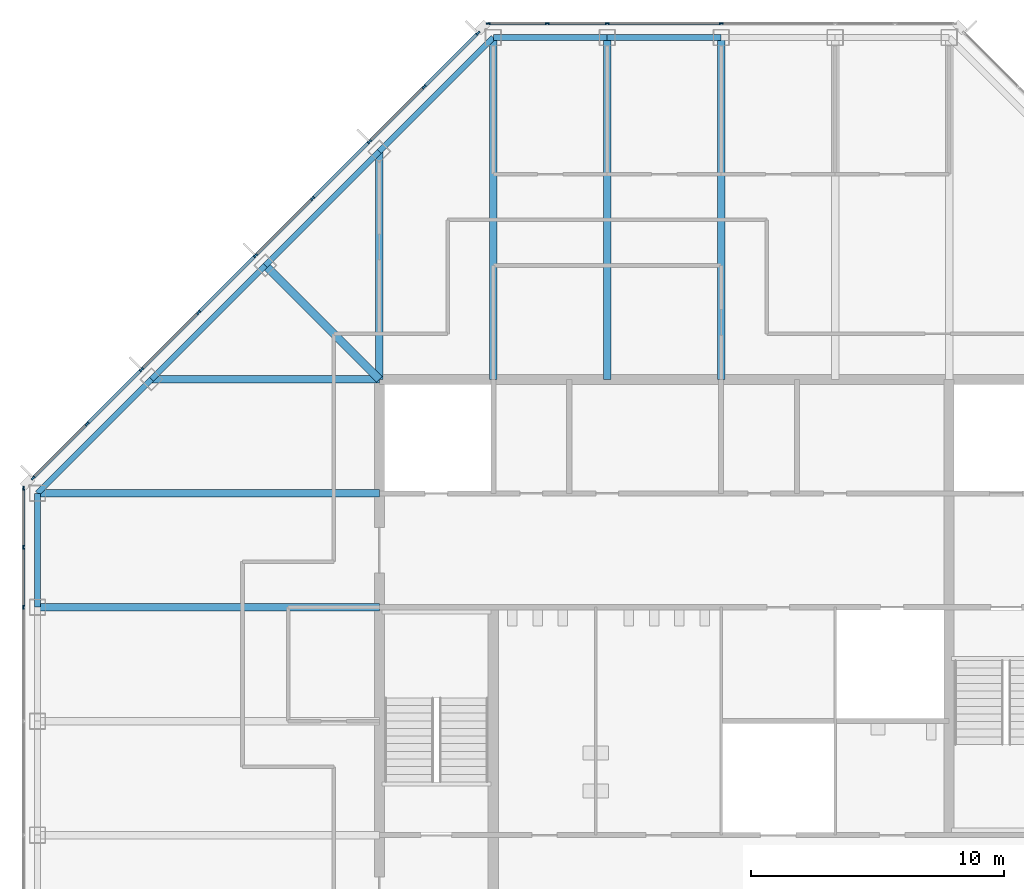
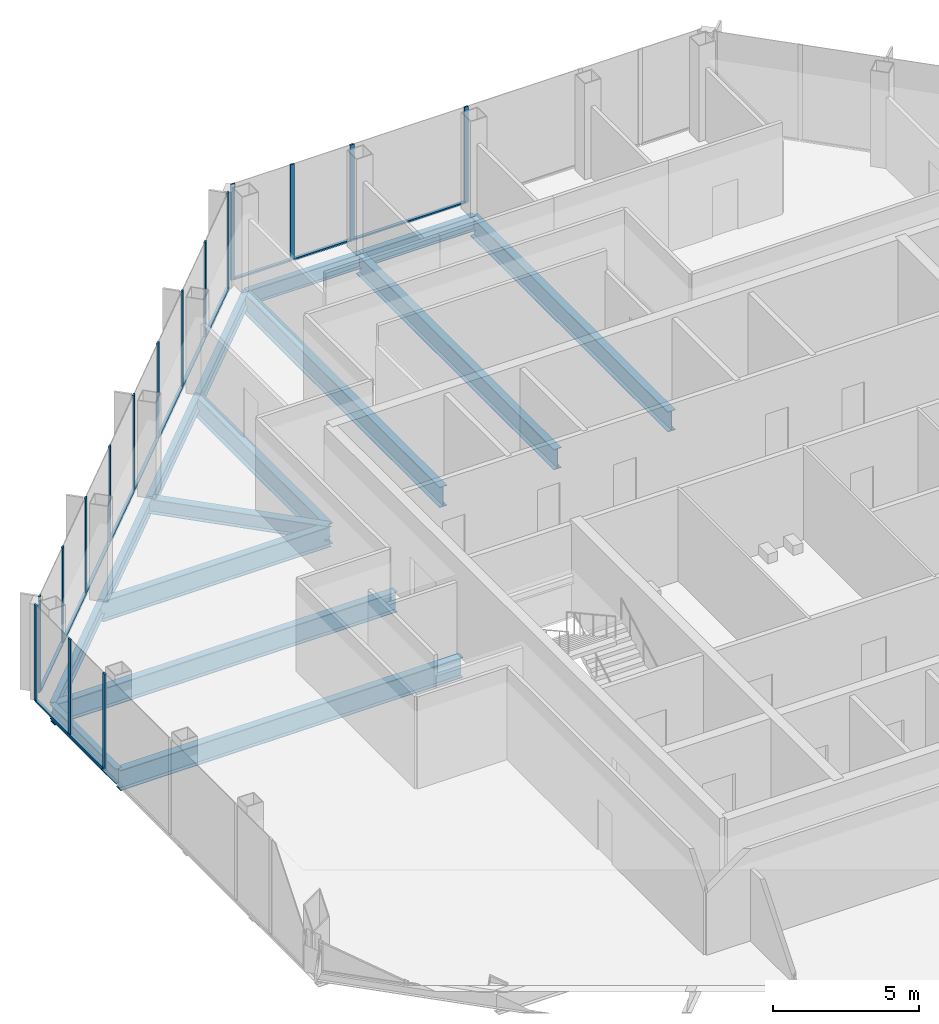
# One storey, part 6 of 14: 29 members, 15 beams, 3 elements without a shape of their own.
"""IFC4 building model written with IfcOpenShell, lengths in metres."""

from ifc_helpers import new_model, si_unit, direction, frame, origin, origin_2d, place, context, subcontext, project, spatial, rectangle, i_section, extrude, material, material_profile, profile_set, type_object, element, aggregate, save


model = new_model("IFC4")

# Units and contexts
model_context = context("Model", 3, precision=1e-05, world=origin(), true_north=direction((0.0, 1.0)))
body_context = subcontext(model_context, "Body", "Model", "MODEL_VIEW")
ifc_project = project(units=[si_unit("LENGTHUNIT", "METRE"), si_unit("AREAUNIT", "SQUARE_METRE"), si_unit("VOLUMEUNIT", "CUBIC_METRE"), si_unit("PLANEANGLEUNIT", "RADIAN"), si_unit("MASSUNIT", "GRAM", prefix="KILO")], contexts=[model_context])

# Site, building, storey
site_placement = place(None, origin())
site = spatial("IfcSite", under=ifc_project, at=site_placement, CompositionType="ELEMENT")
building_placement = place(site_placement, origin())
building = spatial("IfcBuilding", under=site, at=building_placement, Name="Corais Broadcast Tower", CompositionType="ELEMENT")
storey_placement = place(building_placement, frame((0.0, 0.0, 250.60009765625)))
storey = spatial("IfcBuildingStorey", under=building, at=storey_placement, Name="L58", CompositionType="ELEMENT", Elevation=250.60009765625)

# Beams
ifc_material_1 = material(Name="Steel ASTM A572 Grade 50", Category="steel")
ifc_material_profile_1 = material_profile(ifc_material_1, i_section(OverallWidth=0.323974609375, OverallDepth=0.611083984375, WebThickness=0.0126953125, FlangeThickness=0.01904296875, at=origin_2d()), Name="W610x155")
ifc_profile_set_1 = profile_set([ifc_material_profile_1], Name="Steel ASTM A572 Grade 50")
beam_type_1 = type_object("IfcBeamType", Name="Corner diagonal W610x155", PredefinedType="BEAM", material=ifc_profile_set_1)
beam_1_placement = place(storey_placement, frame((9.0, 45.0, -0.465576171875), z_axis=(0.707106781187, -0.707106781187, 0.0), x_axis=(0.707106781187, 0.707106781187, 0.0)))
element("IfcBeam", 1, at=beam_1_placement, inside=storey, type_object=beam_type_1, Name="B6 L/5 to K/6", PredefinedType="BEAM", context=body_context, shape_type="SweptSolid", body=[
    extrude(i_section(OverallWidth=0.323974609375, OverallDepth=0.611083984375, WebThickness=0.0126953125, FlangeThickness=0.01904296875, at=origin_2d()), origin(), (0.0, 0.0, 1.0), 6.364013671875),
])
ifc_material_2 = material(Name="Steel ASTM A572 Grade 50", Category="steel")
ifc_material_profile_2 = material_profile(ifc_material_2, i_section(OverallWidth=0.2939453125, OverallDepth=0.85107421875, WebThickness=0.01611328125, FlangeThickness=0.02685546875, at=origin_2d()), Name="W840x226")
ifc_profile_set_2 = profile_set([ifc_material_profile_2], Name="Steel ASTM A572 Grade 50")
beam_type_2 = type_object("IfcBeamType", Name="Floor beam W840x226", PredefinedType="BEAM", material=ifc_profile_set_2)
for number, where, z_axis, x_axis, name in (
    (2, (0.0, 31.5, -0.585693359375), (1.0, 0.0, 0.0), (0.0, 1.0, 0.0), "B1 H/3 to H/6"),
    (3, (0.0, 36.0, -0.585693359375), (1.0, 0.0, 0.0), (0.0, 1.0, 0.0), "B1 J/3 to J/6"),
):
    element("IfcBeam", number, at=place(storey_placement, frame(where, z_axis=z_axis, x_axis=x_axis)), inside=storey, type_object=beam_type_2, Name=name, PredefinedType="BEAM", context=body_context, shape_type="SweptSolid", body=[
        extrude(i_section(OverallWidth=0.2939453125, OverallDepth=0.85107421875, WebThickness=0.01611328125, FlangeThickness=0.02685546875, at=origin_2d()), origin(), (0.0, 0.0, 1.0), 13.5),
    ])
beam_2_placement = place(storey_placement, frame((13.5, 49.5, -0.585693359375), z_axis=(0.0, -1.0, 0.0), x_axis=(1.0, 0.0, 0.0)))
element("IfcBeam", 4, at=beam_2_placement, inside=storey, type_object=beam_type_2, Name="B1 M/6 to K/6", PredefinedType="BEAM", context=body_context, shape_type="SweptSolid", body=[
    extrude(i_section(OverallWidth=0.2939453125, OverallDepth=0.85107421875, WebThickness=0.01611328125, FlangeThickness=0.02685546875, at=origin_2d()), origin(), (0.0, 0.0, 1.0), 9.0),
])
for number, where, z_axis, x_axis, name in (
    (5, (18.0, 54.0, -0.585693359375), (0.0, -1.0, 0.0), (1.0, 0.0, 0.0), "B1 N/7 to K/7"),
    (6, (22.5, 54.0, -0.585693359375), (0.0, -1.0, 0.0), (1.0, 0.0, 0.0), "B1 N/8 to K/8"),
    (7, (27.0, 54.0, -0.585693359375), (0.0, -1.0, 0.0), (1.0, 0.0, 0.0), "B1 N/9 to K/9"),
):
    element("IfcBeam", number, at=place(storey_placement, frame(where, z_axis=z_axis, x_axis=x_axis)), inside=storey, type_object=beam_type_2, Name=name, PredefinedType="BEAM", context=body_context, shape_type="SweptSolid", body=[
        extrude(i_section(OverallWidth=0.2939453125, OverallDepth=0.85107421875, WebThickness=0.01611328125, FlangeThickness=0.02685546875, at=origin_2d()), origin(), (0.0, 0.0, 1.0), 13.5),
    ])
beam_3_placement = place(storey_placement, frame((4.5, 40.5, -0.585693359375), z_axis=(1.0, 0.0, 0.0), x_axis=(0.0, 1.0, 0.0)))
element("IfcBeam", 8, at=beam_3_placement, inside=storey, type_object=beam_type_2, Name="B1 K/4 to K/6", PredefinedType="BEAM", context=body_context, shape_type="SweptSolid", body=[
    extrude(i_section(OverallWidth=0.2939453125, OverallDepth=0.85107421875, WebThickness=0.01611328125, FlangeThickness=0.02685546875, at=origin_2d()), origin(), (0.0, 0.0, 1.0), 9.0),
])

# Curtain wall, members
ifc_material_3 = material(Name="Aluminium and glass", Category="aluminium")
curtain_wall_type = type_object("IfcCurtainWallType", Name="Unitised fritted curtain wall CW3", PredefinedType="NOTDEFINED", material=ifc_material_3)
curtain_wall_1_placement = place(storey_placement, origin())
curtain_wall_1 = element("IfcCurtainWall", 9, at=curtain_wall_1_placement, inside=storey, type_object=curtain_wall_type, Name="CW3 curtain wall L58 2", PredefinedType="NOTDEFINED")
ifc_material_4 = material(Name="Aluminium 6063-T6", Category="aluminium")
ifc_material_profile_3 = material_profile(ifc_material_4, rectangle(XDim=0.06494140625, YDim=0.159912109375, at=origin_2d()), Name="Mullion CW3 65x160")
ifc_profile_set_3 = profile_set([ifc_material_profile_3], Name="Aluminium 6063-T6")
member_type_1 = type_object("IfcMemberType", Name="Mullion CW3 65x160", PredefinedType="MULLION", material=ifc_profile_set_3)
member_1_placement = place(storey_placement, frame((-0.550048828125, 31.5, 0.0), z_axis=(0.0, 0.0, 1.0), x_axis=(-1.0, 0.0, 0.0)))
member_1 = element("IfcMember", 10, at=member_1_placement, type_object=member_type_1, Name="CW3 mullion 5", PredefinedType="MULLION", context=body_context, shape_type="SweptSolid", body=[
    extrude(rectangle(XDim=0.06494140625, YDim=0.159912109375, at=origin_2d()), origin(), (0.0, 0.0, 1.0), 4.0),
])
member_2_placement = place(storey_placement, frame((-0.550048828125, 33.864013671875, 0.0), z_axis=(0.0, 0.0, 1.0), x_axis=(-1.0, 0.0, 0.0)))
member_2 = element("IfcMember", 11, at=member_2_placement, type_object=member_type_1, Name="CW3 mullion 6", PredefinedType="MULLION", context=body_context, shape_type="SweptSolid", body=[
    extrude(rectangle(XDim=0.06494140625, YDim=0.159912109375, at=origin_2d()), origin(), (0.0, 0.0, 1.0), 4.0),
])
member_3_placement = place(storey_placement, frame((-0.550048828125, 36.1953125, 0.0), z_axis=(0.0, 0.0, 1.0), x_axis=(-1.0, 0.0, 0.0)))
member_3 = element("IfcMember", 12, at=member_3_placement, type_object=member_type_1, Name="CW3 mullion 7", PredefinedType="MULLION", context=body_context, shape_type="SweptSolid", body=[
    extrude(rectangle(XDim=0.06494140625, YDim=0.159912109375, at=origin_2d()), origin(), (0.0, 0.0, 1.0), 4.0),
])

curtain_wall_2_placement = place(storey_placement, origin())
curtain_wall_2 = element("IfcCurtainWall", 13, at=curtain_wall_2_placement, inside=storey, type_object=curtain_wall_type, Name="CW3 curtain wall L58 3", PredefinedType="NOTDEFINED")
member_4_placement = place(storey_placement, frame((-0.17333984375, 36.6044921875, 0.0), z_axis=(0.0, 0.0, 1.0), x_axis=(-0.707106781187, 0.707106781187, 0.0)))
member_4 = element("IfcMember", 14, at=member_4_placement, type_object=member_type_1, Name="CW3 mullion 1", PredefinedType="MULLION", context=body_context, shape_type="SweptSolid", body=[
    extrude(rectangle(XDim=0.06494140625, YDim=0.159912109375, at=origin_2d()), origin(), (0.0, 0.0, 1.0), 4.0),
])
member_5_placement = place(storey_placement, frame((1.957275390625, 38.735107421875, 0.0), z_axis=(0.0, 0.0, 1.0), x_axis=(-0.707106781187, 0.707106781187, 0.0)))
member_5 = element("IfcMember", 15, at=member_5_placement, type_object=member_type_1, Name="CW3 mullion 2", PredefinedType="MULLION", context=body_context, shape_type="SweptSolid", body=[
    extrude(rectangle(XDim=0.06494140625, YDim=0.159912109375, at=origin_2d()), origin(), (0.0, 0.0, 1.0), 4.0),
])
member_6_placement = place(storey_placement, frame((4.111083984375, 40.888916015625, 0.0), z_axis=(0.0, 0.0, 1.0), x_axis=(-0.707106781187, 0.707106781187, 0.0)))
member_6 = element("IfcMember", 16, at=member_6_placement, type_object=member_type_1, Name="CW3 mullion 3", PredefinedType="MULLION", context=body_context, shape_type="SweptSolid", body=[
    extrude(rectangle(XDim=0.06494140625, YDim=0.159912109375, at=origin_2d()), origin(), (0.0, 0.0, 1.0), 4.0),
])
member_7_placement = place(storey_placement, frame((6.361083984375, 43.138916015625, 0.0), z_axis=(0.0, 0.0, 1.0), x_axis=(-0.707106781187, 0.707106781187, 0.0)))
member_7 = element("IfcMember", 17, at=member_7_placement, type_object=member_type_1, Name="CW3 mullion 4", PredefinedType="MULLION", context=body_context, shape_type="SweptSolid", body=[
    extrude(rectangle(XDim=0.06494140625, YDim=0.159912109375, at=origin_2d()), origin(), (0.0, 0.0, 1.0), 4.0),
])
member_8_placement = place(storey_placement, frame((8.611083984375, 45.388916015625, 0.0), z_axis=(0.0, 0.0, 1.0), x_axis=(-0.707106781187, 0.707106781187, 0.0)))
member_8 = element("IfcMember", 18, at=member_8_placement, type_object=member_type_1, Name="CW3 mullion 5", PredefinedType="MULLION", context=body_context, shape_type="SweptSolid", body=[
    extrude(rectangle(XDim=0.06494140625, YDim=0.159912109375, at=origin_2d()), origin(), (0.0, 0.0, 1.0), 4.0),
])
member_9_placement = place(storey_placement, frame((10.861083984375, 47.638916015625, 0.0), z_axis=(0.0, 0.0, 1.0), x_axis=(-0.707106781187, 0.707106781187, 0.0)))
member_9 = element("IfcMember", 19, at=member_9_placement, type_object=member_type_1, Name="CW3 mullion 6", PredefinedType="MULLION", context=body_context, shape_type="SweptSolid", body=[
    extrude(rectangle(XDim=0.06494140625, YDim=0.159912109375, at=origin_2d()), origin(), (0.0, 0.0, 1.0), 4.0),
])
member_10_placement = place(storey_placement, frame((13.111083984375, 49.888916015625, 0.0), z_axis=(0.0, 0.0, 1.0), x_axis=(-0.707106781187, 0.707106781187, 0.0)))
member_10 = element("IfcMember", 20, at=member_10_placement, type_object=member_type_1, Name="CW3 mullion 7", PredefinedType="MULLION", context=body_context, shape_type="SweptSolid", body=[
    extrude(rectangle(XDim=0.06494140625, YDim=0.159912109375, at=origin_2d()), origin(), (0.0, 0.0, 1.0), 4.0),
])
member_11_placement = place(storey_placement, frame((15.264892578125, 52.042724609375, 0.0), z_axis=(0.0, 0.0, 1.0), x_axis=(-0.707106781187, 0.707106781187, 0.0)))
member_11 = element("IfcMember", 21, at=member_11_placement, type_object=member_type_1, Name="CW3 mullion 8", PredefinedType="MULLION", context=body_context, shape_type="SweptSolid", body=[
    extrude(rectangle(XDim=0.06494140625, YDim=0.159912109375, at=origin_2d()), origin(), (0.0, 0.0, 1.0), 4.0),
])
member_12_placement = place(storey_placement, frame((17.3955078125, 54.17333984375, 0.0), z_axis=(0.0, 0.0, 1.0), x_axis=(-0.707106781187, 0.707106781187, 0.0)))
member_12 = element("IfcMember", 22, at=member_12_placement, type_object=member_type_1, Name="CW3 mullion 9", PredefinedType="MULLION", context=body_context, shape_type="SweptSolid", body=[
    extrude(rectangle(XDim=0.06494140625, YDim=0.159912109375, at=origin_2d()), origin(), (0.0, 0.0, 1.0), 4.0),
])

curtain_wall_3_placement = place(storey_placement, origin())
curtain_wall_3 = element("IfcCurtainWall", 23, at=curtain_wall_3_placement, inside=storey, type_object=curtain_wall_type, Name="CW3 curtain wall L58 4", PredefinedType="NOTDEFINED")
member_13_placement = place(storey_placement, frame((17.8046875, 54.550048828125, 0.0), z_axis=(0.0, 0.0, 1.0), x_axis=(0.0, 1.0, 0.0)))
member_13 = element("IfcMember", 24, at=member_13_placement, type_object=member_type_1, Name="CW3 mullion 1", PredefinedType="MULLION", context=body_context, shape_type="SweptSolid", body=[
    extrude(rectangle(XDim=0.06494140625, YDim=0.159912109375, at=origin_2d()), origin(), (0.0, 0.0, 1.0), 4.0),
])
member_14_placement = place(storey_placement, frame((20.135986328125, 54.550048828125, 0.0), z_axis=(0.0, 0.0, 1.0), x_axis=(0.0, 1.0, 0.0)))
member_14 = element("IfcMember", 25, at=member_14_placement, type_object=member_type_1, Name="CW3 mullion 2", PredefinedType="MULLION", context=body_context, shape_type="SweptSolid", body=[
    extrude(rectangle(XDim=0.06494140625, YDim=0.159912109375, at=origin_2d()), origin(), (0.0, 0.0, 1.0), 4.0),
])
member_15_placement = place(storey_placement, frame((22.5, 54.550048828125, 0.0), z_axis=(0.0, 0.0, 1.0), x_axis=(0.0, 1.0, 0.0)))
member_15 = element("IfcMember", 26, at=member_15_placement, type_object=member_type_1, Name="CW3 mullion 3", PredefinedType="MULLION", context=body_context, shape_type="SweptSolid", body=[
    extrude(rectangle(XDim=0.06494140625, YDim=0.159912109375, at=origin_2d()), origin(), (0.0, 0.0, 1.0), 4.0),
])
member_16_placement = place(storey_placement, frame((27.0, 54.550048828125, 0.0), z_axis=(0.0, 0.0, 1.0), x_axis=(0.0, 1.0, 0.0)))
member_16 = element("IfcMember", 27, at=member_16_placement, type_object=member_type_1, Name="CW3 mullion 4", PredefinedType="MULLION", context=body_context, shape_type="SweptSolid", body=[
    extrude(rectangle(XDim=0.06494140625, YDim=0.159912109375, at=origin_2d()), origin(), (0.0, 0.0, 1.0), 4.0),
])

# Beams
ifc_material_5 = material(Name="Steel ASTM A572 Grade 50", Category="steel")
ifc_material_profile_4 = material_profile(ifc_material_5, i_section(OverallWidth=0.22998046875, OverallDepth=0.616943359375, WebThickness=0.01318359375, FlangeThickness=0.022216796875, at=origin_2d()), Name="W610x140")
ifc_profile_set_4 = profile_set([ifc_material_profile_4], Name="Steel ASTM A572 Grade 50")
beam_type_3 = type_object("IfcBeamType", Name="Spandrel W610x140", PredefinedType="BEAM", material=ifc_profile_set_4)
beam_4_placement = place(storey_placement, frame((0.0, 36.0, -0.468505859375), z_axis=(0.0, -1.0, 0.0), x_axis=(1.0, 0.0, 0.0)))
element("IfcBeam", 28, at=beam_4_placement, inside=storey, type_object=beam_type_3, Name="SB3 J/3 to H/3", PredefinedType="BEAM", context=body_context, shape_type="SweptSolid", body=[
    extrude(i_section(OverallWidth=0.22998046875, OverallDepth=0.616943359375, WebThickness=0.01318359375, FlangeThickness=0.022216796875, at=origin_2d()), origin(), (0.0, 0.0, 1.0), 4.5),
])
for number, where, z_axis, x_axis, name in (
    (29, (13.5, 49.5, -0.468505859375), (-0.707106781187, -0.707106781187, 0.0), (0.707106781187, -0.707106781187, 0.0), "SB3 M/6 to L/5"),
    (30, (18.0, 54.0, -0.468505859375), (-0.707106781187, -0.707106781187, 0.0), (0.707106781187, -0.707106781187, 0.0), "SB3 N/7 to M/6"),
):
    element("IfcBeam", number, at=place(storey_placement, frame(where, z_axis=z_axis, x_axis=x_axis)), inside=storey, type_object=beam_type_3, Name=name, PredefinedType="BEAM", context=body_context, shape_type="SweptSolid", body=[
        extrude(i_section(OverallWidth=0.22998046875, OverallDepth=0.616943359375, WebThickness=0.01318359375, FlangeThickness=0.022216796875, at=origin_2d()), origin(), (0.0, 0.0, 1.0), 6.364013671875),
    ])
for number, where, z_axis, x_axis, name in (
    (31, (22.5, 54.0, -0.468505859375), (-1.0, 0.0, 0.0), (0.0, -1.0, 0.0), "SB3 N/8 to N/7"),
    (32, (27.0, 54.0, -0.468505859375), (-1.0, 0.0, 0.0), (0.0, -1.0, 0.0), "SB3 N/9 to N/8"),
):
    element("IfcBeam", number, at=place(storey_placement, frame(where, z_axis=z_axis, x_axis=x_axis)), inside=storey, type_object=beam_type_3, Name=name, PredefinedType="BEAM", context=body_context, shape_type="SweptSolid", body=[
        extrude(i_section(OverallWidth=0.22998046875, OverallDepth=0.616943359375, WebThickness=0.01318359375, FlangeThickness=0.022216796875, at=origin_2d()), origin(), (0.0, 0.0, 1.0), 4.5),
    ])
for number, where, z_axis, x_axis, name in (
    (33, (4.5, 40.5, -0.468505859375), (-0.707106781187, -0.707106781187, 0.0), (0.707106781187, -0.707106781187, 0.0), "SB3 K/4 to J/3"),
    (34, (9.0, 45.0, -0.468505859375), (-0.707106781187, -0.707106781187, 0.0), (0.707106781187, -0.707106781187, 0.0), "SB3 L/5 to K/4"),
):
    element("IfcBeam", number, at=place(storey_placement, frame(where, z_axis=z_axis, x_axis=x_axis)), inside=storey, type_object=beam_type_3, Name=name, PredefinedType="BEAM", context=body_context, shape_type="SweptSolid", body=[
        extrude(i_section(OverallWidth=0.22998046875, OverallDepth=0.616943359375, WebThickness=0.01318359375, FlangeThickness=0.022216796875, at=origin_2d()), origin(), (0.0, 0.0, 1.0), 6.364013671875),
    ])

# Member
ifc_material_6 = material(Name="Aluminium 6063-T6", Category="aluminium")
ifc_material_profile_5 = material_profile(ifc_material_6, rectangle(XDim=0.1201171875, YDim=0.06494140625, at=origin_2d()), Name="Transom CW3 65x120")
ifc_profile_set_5 = profile_set([ifc_material_profile_5], Name="Aluminium 6063-T6")
member_type_2 = type_object("IfcMemberType", Name="Transom CW3 65x120", PredefinedType="USERDEFINED", material=ifc_profile_set_5)
member_17_placement = place(storey_placement, frame((-0.550048828125, 31.532470703125, 0.032470703125), z_axis=(0.0, 1.0, 0.0), x_axis=(-1.0, 0.0, 0.0)))
member_17 = element("IfcMember", 35, at=member_17_placement, type_object=member_type_2, Name="CW3 transom 5.1", ObjectType="TRANSOM", PredefinedType="USERDEFINED", context=body_context, shape_type="SweptSolid", body=[
    extrude(rectangle(XDim=0.1201171875, YDim=0.06494140625, at=origin_2d()), origin(), (0.0, 0.0, 1.0), 2.298828125),
])

member_18_placement = place(storey_placement, frame((-0.550048828125, 33.896484375, 0.032470703125), z_axis=(0.0, 1.0, 0.0), x_axis=(-1.0, 0.0, 0.0)))
member_18 = element("IfcMember", 36, at=member_18_placement, type_object=member_type_2, Name="CW3 transom 6.1", ObjectType="TRANSOM", PredefinedType="USERDEFINED", context=body_context, shape_type="SweptSolid", body=[
    extrude(rectangle(XDim=0.1201171875, YDim=0.06494140625, at=origin_2d()), origin(), (0.0, 0.0, 1.0), 2.266357421875),
])

aggregate(curtain_wall_1, [member_1, member_2, member_3, member_17, member_18])

member_19_placement = place(storey_placement, frame((-0.150390625, 36.62744140625, 0.032470703125), z_axis=(0.707106781187, 0.707106781187, 0.0), x_axis=(-0.707106781187, 0.707106781187, 0.0)))
member_19 = element("IfcMember", 37, at=member_19_placement, type_object=member_type_2, Name="CW3 transom 1.1", ObjectType="TRANSOM", PredefinedType="USERDEFINED", context=body_context, shape_type="SweptSolid", body=[
    extrude(rectangle(XDim=0.1201171875, YDim=0.06494140625, at=origin_2d()), origin(), (0.0, 0.0, 1.0), 2.9482421875),
])

member_20_placement = place(storey_placement, frame((1.980224609375, 38.758056640625, 0.032470703125), z_axis=(0.707106781187, 0.707106781187, 0.0), x_axis=(-0.707106781187, 0.707106781187, 0.0)))
member_20 = element("IfcMember", 38, at=member_20_placement, type_object=member_type_2, Name="CW3 transom 2.1", ObjectType="TRANSOM", PredefinedType="USERDEFINED", context=body_context, shape_type="SweptSolid", body=[
    extrude(rectangle(XDim=0.1201171875, YDim=0.06494140625, at=origin_2d()), origin(), (0.0, 0.0, 1.0), 2.98095703125),
])

member_21_placement = place(storey_placement, frame((4.134033203125, 40.911865234375, 0.032470703125), z_axis=(0.707106781187, 0.707106781187, 0.0), x_axis=(-0.707106781187, 0.707106781187, 0.0)))
member_21 = element("IfcMember", 39, at=member_21_placement, type_object=member_type_2, Name="CW3 transom 3.1", ObjectType="TRANSOM", PredefinedType="USERDEFINED", context=body_context, shape_type="SweptSolid", body=[
    extrude(rectangle(XDim=0.1201171875, YDim=0.06494140625, at=origin_2d()), origin(), (0.0, 0.0, 1.0), 3.1171875),
])

member_22_placement = place(storey_placement, frame((6.384033203125, 43.161865234375, 0.032470703125), z_axis=(0.707106781187, 0.707106781187, 0.0), x_axis=(-0.707106781187, 0.707106781187, 0.0)))
member_22 = element("IfcMember", 40, at=member_22_placement, type_object=member_type_2, Name="CW3 transom 4.1", ObjectType="TRANSOM", PredefinedType="USERDEFINED", context=body_context, shape_type="SweptSolid", body=[
    extrude(rectangle(XDim=0.1201171875, YDim=0.06494140625, at=origin_2d()), origin(), (0.0, 0.0, 1.0), 3.1171875),
])

member_23_placement = place(storey_placement, frame((8.634033203125, 45.411865234375, 0.032470703125), z_axis=(0.707106781187, 0.707106781187, 0.0), x_axis=(-0.707106781187, 0.707106781187, 0.0)))
member_23 = element("IfcMember", 41, at=member_23_placement, type_object=member_type_2, Name="CW3 transom 5.1", ObjectType="TRANSOM", PredefinedType="USERDEFINED", context=body_context, shape_type="SweptSolid", body=[
    extrude(rectangle(XDim=0.1201171875, YDim=0.06494140625, at=origin_2d()), origin(), (0.0, 0.0, 1.0), 3.1171875),
])

member_24_placement = place(storey_placement, frame((10.884033203125, 47.661865234375, 0.032470703125), z_axis=(0.707106781187, 0.707106781187, 0.0), x_axis=(-0.707106781187, 0.707106781187, 0.0)))
member_24 = element("IfcMember", 42, at=member_24_placement, type_object=member_type_2, Name="CW3 transom 6.1", ObjectType="TRANSOM", PredefinedType="USERDEFINED", context=body_context, shape_type="SweptSolid", body=[
    extrude(rectangle(XDim=0.1201171875, YDim=0.06494140625, at=origin_2d()), origin(), (0.0, 0.0, 1.0), 3.1171875),
])

member_25_placement = place(storey_placement, frame((13.134033203125, 49.911865234375, 0.032470703125), z_axis=(0.70714773134, 0.707065828661, 0.0), x_axis=(-0.707065828661, 0.70714773134, 0.0)))
member_25 = element("IfcMember", 43, at=member_25_placement, type_object=member_type_2, Name="CW3 transom 7.1", ObjectType="TRANSOM", PredefinedType="USERDEFINED", context=body_context, shape_type="SweptSolid", body=[
    extrude(rectangle(XDim=0.1201171875, YDim=0.06494140625, at=origin_2d()), origin(), (0.0, 0.0, 1.0), 2.98095703125),
])

member_26_placement = place(storey_placement, frame((15.287841796875, 52.065673828125, 0.032470703125), z_axis=(0.707106781187, 0.707106781187, 0.0), x_axis=(-0.707106781187, 0.707106781187, 0.0)))
member_26 = element("IfcMember", 44, at=member_26_placement, type_object=member_type_2, Name="CW3 transom 8.1", ObjectType="TRANSOM", PredefinedType="USERDEFINED", context=body_context, shape_type="SweptSolid", body=[
    extrude(rectangle(XDim=0.1201171875, YDim=0.06494140625, at=origin_2d()), origin(), (0.0, 0.0, 1.0), 2.9482421875),
])

aggregate(curtain_wall_2, [member_4, member_5, member_6, member_7, member_8, member_9, member_10, member_11, member_12, member_19, member_20, member_21, member_22, member_23, member_24, member_25, member_26])

member_27_placement = place(storey_placement, frame((17.837158203125, 54.550048828125, 0.032470703125), z_axis=(1.0, 0.0, 0.0), x_axis=(0.0, 1.0, 0.0)))
member_27 = element("IfcMember", 45, at=member_27_placement, type_object=member_type_2, Name="CW3 transom 1.1", ObjectType="TRANSOM", PredefinedType="USERDEFINED", context=body_context, shape_type="SweptSolid", body=[
    extrude(rectangle(XDim=0.1201171875, YDim=0.06494140625, at=origin_2d()), origin(), (0.0, 0.0, 1.0), 2.266357421875),
])

member_28_placement = place(storey_placement, frame((20.168701171875, 54.550048828125, 0.032470703125), z_axis=(1.0, 0.0, 0.0), x_axis=(0.0, 1.0, 0.0)))
member_28 = element("IfcMember", 46, at=member_28_placement, type_object=member_type_2, Name="CW3 transom 2.1", ObjectType="TRANSOM", PredefinedType="USERDEFINED", context=body_context, shape_type="SweptSolid", body=[
    extrude(rectangle(XDim=0.1201171875, YDim=0.06494140625, at=origin_2d()), origin(), (0.0, 0.0, 1.0), 2.298828125),
])

member_29_placement = place(storey_placement, frame((22.532470703125, 54.550048828125, 0.032470703125), z_axis=(1.0, 0.0, 0.0), x_axis=(0.0, 1.0, 0.0)))
member_29 = element("IfcMember", 47, at=member_29_placement, type_object=member_type_2, Name="CW3 transom 3.1", ObjectType="TRANSOM", PredefinedType="USERDEFINED", context=body_context, shape_type="SweptSolid", body=[
    extrude(rectangle(XDim=0.1201171875, YDim=0.06494140625, at=origin_2d()), origin(), (0.0, 0.0, 1.0), 4.43505859375),
])

aggregate(curtain_wall_3, [member_13, member_14, member_15, member_16, member_27, member_28, member_29])

save(model, "model.ifc")
